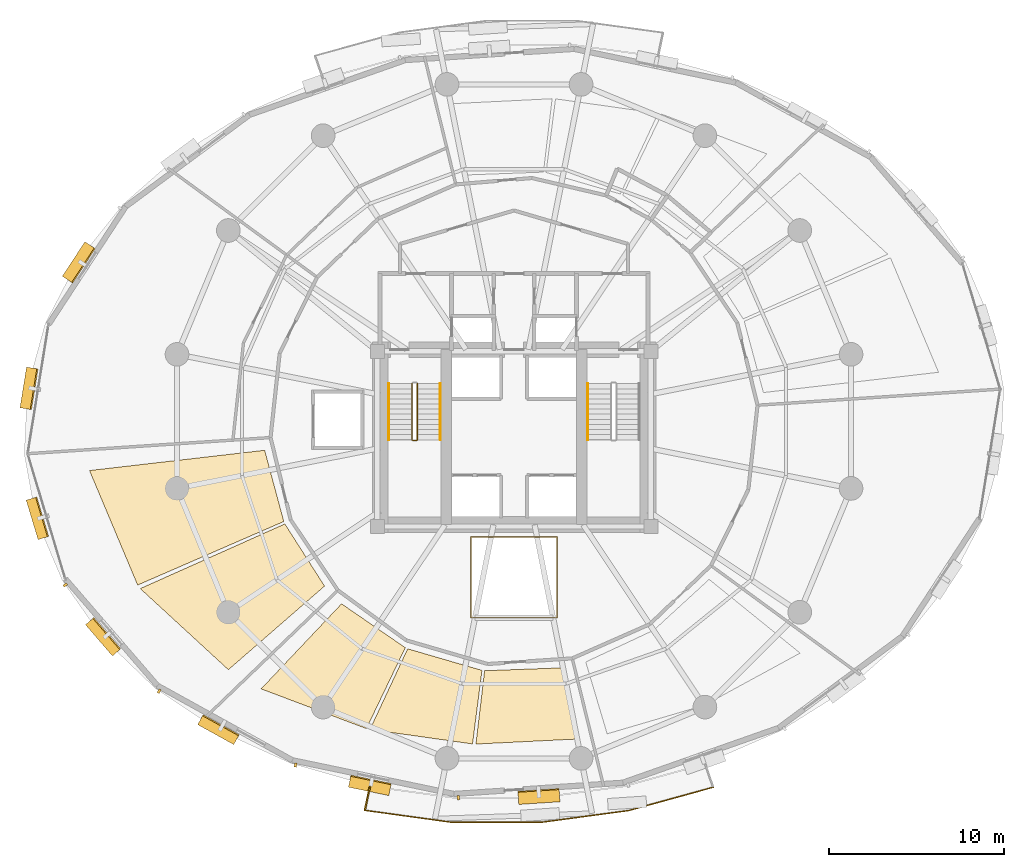
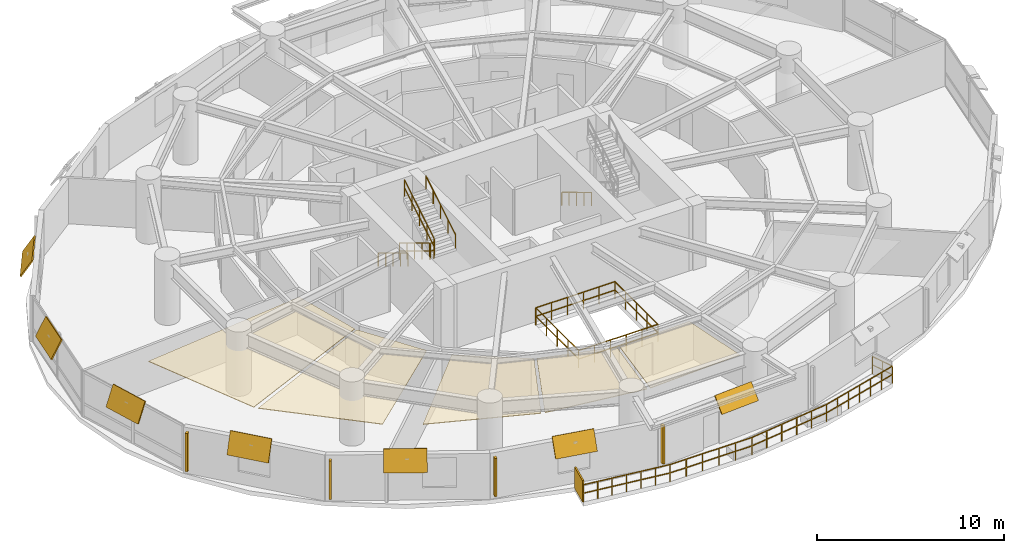
# One storey, part 14 of 16: 12 shading devices, 8 railings, 5 coverings.
"""IFC4 building model written with IfcOpenShell, lengths in metres."""

from ifc_helpers import new_model, si_unit, direction, frame, origin, origin_2d, place, context, subcontext, project, spatial, polyline, rectangle, outline, extrude, material, layer, layer_set, type_object, element, save


model = new_model("IFC4")

# Units and contexts
model_context = context("Model", 3, precision=1e-05, world=origin(), true_north=direction((0.0, 1.0)))
body_context = subcontext(model_context, "Body", "Model", "MODEL_VIEW")
ifc_project = project(units=[si_unit("LENGTHUNIT", "METRE"), si_unit("AREAUNIT", "SQUARE_METRE"), si_unit("VOLUMEUNIT", "CUBIC_METRE"), si_unit("PLANEANGLEUNIT", "RADIAN"), si_unit("MASSUNIT", "GRAM", prefix="KILO"), si_unit("THERMODYNAMICTEMPERATUREUNIT", "KELVIN"), si_unit("POWERUNIT", "WATT")], contexts=[model_context])

# Site, building, storey
site_placement = place(None, origin())
site = spatial("IfcSite", under=ifc_project, at=site_placement, CompositionType="ELEMENT")
building_placement = place(site_placement, origin())
building = spatial("IfcBuilding", under=site, at=building_placement, Name="Ocrelia Relay Tower", CompositionType="ELEMENT")
storey_placement = place(building_placement, frame((0.0, 0.0, 46.800048828125)))
storey = spatial("IfcBuildingStorey", under=building, at=storey_placement, Name="L10", CompositionType="ELEMENT", Elevation=46.800048828125)

# Coverings
ifc_material_1 = material(Name="Mineral-fiber acoustic ceiling tile", Category="gypsum")
ifc_layer_1 = layer(ifc_material_1, 0.0400390625, Name="Mineral-fiber acoustic ceiling tile")
ifc_layer_set_1 = layer_set([ifc_layer_1], Name="Mineral-fiber acoustic ceiling tile")
covering_type_1 = type_object("IfcCoveringType", Name="COV-CEIL-ACOUSTIC", PredefinedType="CEILING", material=ifc_layer_set_1)
covering_1_placement = place(storey_placement, frame((0.0, 0.0, 2.919921875)))
element("IfcCovering", 1, at=covering_1_placement, inside=storey, type_object=covering_type_1, Name="L10 Routing Office D Suspended Ceiling 1", PredefinedType="CEILING", context=body_context, shape_type="SweptSolid", body=[
    extrude(outline(polyline([(19.77490234375, 24.35400390625), (9.78369140625, 23.197998046875), (12.52978515625, 16.66455078125), (20.86767578125, 20.289794921875), (19.77490234375, 24.35400390625)])), origin(), (0.0, 0.0, 1.0), 0.0400390625),
])
covering_2_placement = place(storey_placement, frame((0.0, 0.0, 2.919921875)))
element("IfcCovering", 2, at=covering_2_placement, inside=storey, type_object=covering_type_1, Name="L10 Routing Office D Suspended Ceiling 2", PredefinedType="CEILING", context=body_context, shape_type="SweptSolid", body=[
    extrude(outline(polyline([(20.92822265625, 20.152587890625), (12.678955078125, 16.462646484375), (17.705810546875, 11.835693359375), (23.192626953125, 16.605224609375), (20.92822265625, 20.152587890625)])), origin(), (0.0, 0.0, 1.0), 0.0400390625),
])
ifc_material_2 = material(Name="Cleanroom metal-pan acoustic ceiling", Category="aluminium")
ifc_layer_2 = layer(ifc_material_2, 0.0400390625, Name="Cleanroom metal-pan acoustic ceiling")
ifc_layer_set_2 = layer_set([ifc_layer_2], Name="Cleanroom metal-pan acoustic ceiling")
covering_type_2 = type_object("IfcCoveringType", Name="COV-CEIL-CLEAN", PredefinedType="CEILING", material=ifc_layer_set_2)
covering_3_placement = place(storey_placement, frame((0.0, 0.0, 2.919921875)))
element("IfcCovering", 3, at=covering_3_placement, inside=storey, type_object=covering_type_2, Name="L10 Colocation Data Hall A Suspended Ceiling 1", PredefinedType="CEILING", context=body_context, shape_type="SweptSolid", body=[
    extrude(outline(polyline([(24.160888671875, 15.595458984375), (19.572021484375, 10.74267578125), (25.57861328125, 8.475830078125), (27.797607421875, 13.093017578125), (24.160888671875, 15.595458984375)])), origin(), (0.0, 0.0, 1.0), 0.0400390625),
])
covering_4_placement = place(storey_placement, frame((0.0, 0.0, 2.919921875)))
element("IfcCovering", 4, at=covering_4_placement, inside=storey, type_object=covering_type_2, Name="L10 Colocation Data Hall A Suspended Ceiling 2", PredefinedType="CEILING", context=body_context, shape_type="SweptSolid", body=[
    extrude(outline(polyline([(27.93310546875, 13.02880859375), (25.7802734375, 8.42626953125), (31.63232421875, 7.60205078125), (32.172119140625, 11.797119140625), (27.93310546875, 13.02880859375)])), origin(), (0.0, 0.0, 1.0), 0.0400390625),
])
covering_5_placement = place(storey_placement, frame((0.0, 0.0, 2.919921875)))
element("IfcCovering", 5, at=covering_5_placement, inside=storey, type_object=covering_type_2, Name="L10 Colocation Data Hall A Suspended Ceiling 3", PredefinedType="CEILING", context=body_context, shape_type="SweptSolid", body=[
    extrude(outline(polyline([(32.321044921875, 11.77880859375), (31.826904296875, 7.59375), (37.522705078125, 7.876708984375), (36.732421875, 11.943115234375), (32.321044921875, 11.77880859375)])), origin(), (0.0, 0.0, 1.0), 0.0400390625),
])

# Railings
ifc_material_3 = material(Name="Steel S355 balustrade", Category="steel")
railing_type_1 = type_object("IfcRailingType", Name="RL-EXT-GUARD-1150", PredefinedType="GUARDRAIL", material=ifc_material_3)
railing_1_placement = place(storey_placement, frame((44.904541015625, 6.447265625, 0.0)))
element("IfcRailing", 6, at=railing_1_placement, inside=storey, type_object=railing_type_1, Name="L10 Loggia Balcony Guard Rail B2", PredefinedType="GUARDRAIL", context=body_context, shape_type="SweptSolid", body=[
    extrude(rectangle(XDim=0.048095703125, YDim=0.048095703125, at=origin_2d()), frame((0.0, 0.0, 1.1259765625), z_axis=(0.33326000737, -0.942834963017, 0.0), x_axis=(0.942834963017, 0.33326000737, 0.0)), (0.0, 0.0, 1.0), 1.393310546875),
    extrude(rectangle(XDim=0.048095703125, YDim=0.048095703125, at=origin_2d()), frame((0.0, 0.0, 0.574951171875), z_axis=(0.33326000737, -0.942834963017, 0.0), x_axis=(0.942834963017, 0.33326000737, 0.0)), (0.0, 0.0, 1.0), 1.393310546875),
    extrude(rectangle(XDim=0.048095703125, YDim=0.048095703125, at=origin_2d()), frame((0.46435546875, -1.313720703125, 1.1259765625), z_axis=(-0.963981417475, -0.265969597441, 0.0), x_axis=(0.265969597441, -0.963981417475, 0.0)), (0.0, 0.0, 1.0), 2.505126953125),
    extrude(rectangle(XDim=0.048095703125, YDim=0.048095703125, at=origin_2d()), frame((0.46435546875, -1.313720703125, 0.574951171875), z_axis=(-0.963981417475, -0.265969597441, 0.0), x_axis=(0.265969597441, -0.963981417475, 0.0)), (0.0, 0.0, 1.0), 2.505126953125),
    extrude(rectangle(XDim=0.048095703125, YDim=0.048095703125, at=origin_2d()), frame((-1.950439453125, -1.97998046875, 1.1259765625), z_axis=(-0.963956426006, -0.266060160044, 0.0), x_axis=(0.266060160044, -0.963956426006, 0.0)), (0.0, 0.0, 1.0), 2.505126953125),
    extrude(rectangle(XDim=0.048095703125, YDim=0.048095703125, at=origin_2d()), frame((-1.950439453125, -1.97998046875, 0.574951171875), z_axis=(-0.963956426006, -0.266060160044, 0.0), x_axis=(0.266060160044, -0.963956426006, 0.0)), (0.0, 0.0, 1.0), 2.505126953125),
    extrude(rectangle(XDim=0.048095703125, YDim=0.048095703125, at=origin_2d()), frame((-4.365234375, -2.646484375, 1.1259765625), z_axis=(-0.991117684156, -0.132987729335, 0.0), x_axis=(0.132987729335, -0.991117684156, 0.0)), (0.0, 0.0, 1.0), 5.06494140625),
    extrude(rectangle(XDim=0.048095703125, YDim=0.048095703125, at=origin_2d()), frame((-4.365234375, -2.646484375, 0.574951171875), z_axis=(-0.991117684156, -0.132987729335, 0.0), x_axis=(0.132987729335, -0.991117684156, 0.0)), (0.0, 0.0, 1.0), 5.06494140625),
    extrude(rectangle(XDim=0.048095703125, YDim=0.048095703125, at=origin_2d()), frame((-9.38525390625, -3.320068359375, 1.1259765625), z_axis=(-0.999999702629, 0.000771195606, 0.0), x_axis=(-0.000771195606, -0.999999702629, 0.0)), (0.0, 0.0, 1.0), 5.065185546875),
    extrude(rectangle(XDim=0.048095703125, YDim=0.048095703125, at=origin_2d()), frame((-9.38525390625, -3.320068359375, 0.574951171875), z_axis=(-0.999999702629, 0.000771195606, 0.0), x_axis=(-0.000771195606, -0.999999702629, 0.0)), (0.0, 0.0, 1.0), 5.065185546875),
    extrude(rectangle(XDim=0.048095703125, YDim=0.048095703125, at=origin_2d()), frame((-14.450439453125, -3.316162109375, 1.1259765625), z_axis=(-0.990687879791, 0.136152579249, 0.0), x_axis=(-0.136152579249, -0.990687879791, 0.0)), (0.0, 0.0, 1.0), 2.505126953125),
    extrude(rectangle(XDim=0.048095703125, YDim=0.048095703125, at=origin_2d()), frame((-14.450439453125, -3.316162109375, 0.574951171875), z_axis=(-0.990687879791, 0.136152579249, 0.0), x_axis=(-0.136152579249, -0.990687879791, 0.0)), (0.0, 0.0, 1.0), 2.505126953125),
    extrude(rectangle(XDim=0.048095703125, YDim=0.048095703125, at=origin_2d()), frame((-16.93212890625, -2.97509765625, 1.1259765625), z_axis=(-0.990687879791, 0.136152579249, 0.0), x_axis=(-0.136152579249, -0.990687879791, 0.0)), (0.0, 0.0, 1.0), 2.505126953125),
    extrude(rectangle(XDim=0.048095703125, YDim=0.048095703125, at=origin_2d()), frame((-16.93212890625, -2.97509765625, 0.574951171875), z_axis=(-0.990687879791, 0.136152579249, 0.0), x_axis=(-0.136152579249, -0.990687879791, 0.0)), (0.0, 0.0, 1.0), 2.505126953125),
    extrude(rectangle(XDim=0.048095703125, YDim=0.048095703125, at=origin_2d()), frame((-19.413818359375, -2.634033203125, 1.1259765625), z_axis=(0.205507166394, 0.978655610805, 0.0), x_axis=(-0.978655610805, 0.205507166394, 0.0)), (0.0, 0.0, 1.0), 1.3935546875),
    extrude(rectangle(XDim=0.048095703125, YDim=0.048095703125, at=origin_2d()), frame((-19.413818359375, -2.634033203125, 0.574951171875), z_axis=(0.205507166394, 0.978655610805, 0.0), x_axis=(-0.978655610805, 0.205507166394, 0.0)), (0.0, 0.0, 1.0), 1.3935546875),
    extrude(rectangle(XDim=0.0419921875, YDim=0.0419921875, at=origin_2d()), origin(), (0.0, 0.0, 1.0), 1.101806640625),
    extrude(rectangle(XDim=0.0419921875, YDim=0.0419921875, at=origin_2d()), frame((0.232177734375, -0.65673828125, 0.0)), (0.0, 0.0, 1.0), 1.101806640625),
    extrude(rectangle(XDim=0.0419921875, YDim=0.0419921875, at=origin_2d()), frame((0.46435546875, -1.313720703125, 0.0)), (0.0, 0.0, 1.0), 1.101806640625),
    extrude(rectangle(XDim=0.0419921875, YDim=0.0419921875, at=origin_2d()), frame((-0.340576171875, -1.535888671875, 0.0)), (0.0, 0.0, 1.0), 1.101806640625),
    extrude(rectangle(XDim=0.0419921875, YDim=0.0419921875, at=origin_2d()), frame((-1.1455078125, -1.7578125, 0.0)), (0.0, 0.0, 1.0), 1.101806640625),
    extrude(rectangle(XDim=0.0419921875, YDim=0.0419921875, at=origin_2d()), frame((-1.950439453125, -1.97998046875, 0.0)), (0.0, 0.0, 1.0), 1.101806640625),
    extrude(rectangle(XDim=0.0419921875, YDim=0.0419921875, at=origin_2d()), frame((-2.75537109375, -2.2021484375, 0.0)), (0.0, 0.0, 1.0), 1.101806640625),
    extrude(rectangle(XDim=0.0419921875, YDim=0.0419921875, at=origin_2d()), frame((-3.560302734375, -2.42431640625, 0.0)), (0.0, 0.0, 1.0), 1.101806640625),
    extrude(rectangle(XDim=0.0419921875, YDim=0.0419921875, at=origin_2d()), frame((-4.365234375, -2.646484375, 0.0)), (0.0, 0.0, 1.0), 1.101806640625),
    extrude(rectangle(XDim=0.0419921875, YDim=0.0419921875, at=origin_2d()), frame((-5.369140625, -2.78125, 0.0)), (0.0, 0.0, 1.0), 1.101806640625),
    extrude(rectangle(XDim=0.0419921875, YDim=0.0419921875, at=origin_2d()), frame((-6.373291015625, -2.916015625, 0.0)), (0.0, 0.0, 1.0), 1.101806640625),
    extrude(rectangle(XDim=0.0419921875, YDim=0.0419921875, at=origin_2d()), frame((-7.377197265625, -3.050537109375, 0.0)), (0.0, 0.0, 1.0), 1.101806640625),
    extrude(rectangle(XDim=0.0419921875, YDim=0.0419921875, at=origin_2d()), frame((-8.38134765625, -3.185302734375, 0.0)), (0.0, 0.0, 1.0), 1.101806640625),
    extrude(rectangle(XDim=0.0419921875, YDim=0.0419921875, at=origin_2d()), frame((-9.38525390625, -3.320068359375, 0.0)), (0.0, 0.0, 1.0), 1.101806640625),
    extrude(rectangle(XDim=0.0419921875, YDim=0.0419921875, at=origin_2d()), frame((-10.398193359375, -3.3193359375, 0.0)), (0.0, 0.0, 1.0), 1.101806640625),
    extrude(rectangle(XDim=0.0419921875, YDim=0.0419921875, at=origin_2d()), frame((-11.411376953125, -3.318603515625, 0.0)), (0.0, 0.0, 1.0), 1.101806640625),
    extrude(rectangle(XDim=0.0419921875, YDim=0.0419921875, at=origin_2d()), frame((-12.42431640625, -3.317626953125, 0.0)), (0.0, 0.0, 1.0), 1.101806640625),
    extrude(rectangle(XDim=0.0419921875, YDim=0.0419921875, at=origin_2d()), frame((-13.4375, -3.31689453125, 0.0)), (0.0, 0.0, 1.0), 1.101806640625),
    extrude(rectangle(XDim=0.0419921875, YDim=0.0419921875, at=origin_2d()), frame((-14.450439453125, -3.316162109375, 0.0)), (0.0, 0.0, 1.0), 1.101806640625),
    extrude(rectangle(XDim=0.0419921875, YDim=0.0419921875, at=origin_2d()), frame((-15.277587890625, -3.202392578125, 0.0)), (0.0, 0.0, 1.0), 1.101806640625),
    extrude(rectangle(XDim=0.0419921875, YDim=0.0419921875, at=origin_2d()), frame((-16.10498046875, -3.0888671875, 0.0)), (0.0, 0.0, 1.0), 1.101806640625),
    extrude(rectangle(XDim=0.0419921875, YDim=0.0419921875, at=origin_2d()), frame((-16.93212890625, -2.97509765625, 0.0)), (0.0, 0.0, 1.0), 1.101806640625),
    extrude(rectangle(XDim=0.0419921875, YDim=0.0419921875, at=origin_2d()), frame((-17.75927734375, -2.861328125, 0.0)), (0.0, 0.0, 1.0), 1.101806640625),
    extrude(rectangle(XDim=0.0419921875, YDim=0.0419921875, at=origin_2d()), frame((-18.586669921875, -2.747802734375, 0.0)), (0.0, 0.0, 1.0), 1.101806640625),
    extrude(rectangle(XDim=0.0419921875, YDim=0.0419921875, at=origin_2d()), frame((-19.413818359375, -2.634033203125, 0.0)), (0.0, 0.0, 1.0), 1.101806640625),
    extrude(rectangle(XDim=0.0419921875, YDim=0.0419921875, at=origin_2d()), frame((-19.2705078125, -1.9521484375, 0.0)), (0.0, 0.0, 1.0), 1.101806640625),
    extrude(rectangle(XDim=0.0419921875, YDim=0.0419921875, at=origin_2d()), frame((-19.12744140625, -1.270263671875, 0.0)), (0.0, 0.0, 1.0), 1.101806640625),
])
ifc_material_4 = material(Name="Steel S355 atrium balustrade", Category="steel")
railing_type_2 = type_object("IfcRailingType", Name="RL-INT-GUARD-115", PredefinedType="GUARDRAIL", material=ifc_material_4)
railing_2_placement = place(storey_placement, frame((31.550048828125, 14.800048828125, 0.0)))
element("IfcRailing", 7, at=railing_2_placement, inside=storey, type_object=railing_type_2, Name="L10 Multi-Zone Interior Atrium Guard", PredefinedType="GUARDRAIL", context=body_context, shape_type="SweptSolid", body=[
    extrude(rectangle(XDim=0.048095703125, YDim=0.048095703125, at=origin_2d()), frame((0.0, 0.0, 1.1259765625), z_axis=(1.0, 0.0, 0.0), x_axis=(0.0, 1.0, 0.0)), (0.0, 0.0, 1.0), 4.89990234375),
    extrude(rectangle(XDim=0.048095703125, YDim=0.048095703125, at=origin_2d()), frame((0.0, 0.0, 0.574951171875), z_axis=(1.0, 0.0, 0.0), x_axis=(0.0, 1.0, 0.0)), (0.0, 0.0, 1.0), 4.89990234375),
    extrude(rectangle(XDim=0.048095703125, YDim=0.048095703125, at=origin_2d()), frame((4.89990234375, 0.0, 1.1259765625), z_axis=(0.0, 1.0, 0.0), x_axis=(-1.0, 0.0, 0.0)), (0.0, 0.0, 1.0), 4.599853515625),
    extrude(rectangle(XDim=0.048095703125, YDim=0.048095703125, at=origin_2d()), frame((4.89990234375, 0.0, 0.574951171875), z_axis=(0.0, 1.0, 0.0), x_axis=(-1.0, 0.0, 0.0)), (0.0, 0.0, 1.0), 4.599853515625),
    extrude(rectangle(XDim=0.048095703125, YDim=0.048095703125, at=origin_2d()), frame((4.89990234375, 4.599853515625, 1.1259765625), z_axis=(-1.0, 0.0, 0.0), x_axis=(0.0, -1.0, 0.0)), (0.0, 0.0, 1.0), 4.89990234375),
    extrude(rectangle(XDim=0.048095703125, YDim=0.048095703125, at=origin_2d()), frame((4.89990234375, 4.599853515625, 0.574951171875), z_axis=(-1.0, 0.0, 0.0), x_axis=(0.0, -1.0, 0.0)), (0.0, 0.0, 1.0), 4.89990234375),
    extrude(rectangle(XDim=0.048095703125, YDim=0.048095703125, at=origin_2d()), frame((0.0, 4.599853515625, 1.1259765625), z_axis=(0.0, -1.0, 0.0), x_axis=(1.0, 0.0, 0.0)), (0.0, 0.0, 1.0), 4.599853515625),
    extrude(rectangle(XDim=0.048095703125, YDim=0.048095703125, at=origin_2d()), frame((0.0, 4.599853515625, 0.574951171875), z_axis=(0.0, -1.0, 0.0), x_axis=(1.0, 0.0, 0.0)), (0.0, 0.0, 1.0), 4.599853515625),
    extrude(rectangle(XDim=0.0419921875, YDim=0.0419921875, at=origin_2d()), origin(), (0.0, 0.0, 1.0), 1.101806640625),
    extrude(rectangle(XDim=0.0419921875, YDim=0.0419921875, at=origin_2d()), frame((0.97998046875, 0.0, 0.0)), (0.0, 0.0, 1.0), 1.101806640625),
    extrude(rectangle(XDim=0.0419921875, YDim=0.0419921875, at=origin_2d()), frame((1.9599609375, 0.0, 0.0)), (0.0, 0.0, 1.0), 1.101806640625),
    extrude(rectangle(XDim=0.0419921875, YDim=0.0419921875, at=origin_2d()), frame((2.93994140625, 0.0, 0.0)), (0.0, 0.0, 1.0), 1.101806640625),
    extrude(rectangle(XDim=0.0419921875, YDim=0.0419921875, at=origin_2d()), frame((3.919921875, 0.0, 0.0)), (0.0, 0.0, 1.0), 1.101806640625),
    extrude(rectangle(XDim=0.0419921875, YDim=0.0419921875, at=origin_2d()), frame((4.89990234375, 0.0, 0.0)), (0.0, 0.0, 1.0), 1.101806640625),
    extrude(rectangle(XDim=0.0419921875, YDim=0.0419921875, at=origin_2d()), frame((4.89990234375, 1.14990234375, 0.0)), (0.0, 0.0, 1.0), 1.101806640625),
    extrude(rectangle(XDim=0.0419921875, YDim=0.0419921875, at=origin_2d()), frame((4.89990234375, 2.2998046875, 0.0)), (0.0, 0.0, 1.0), 1.101806640625),
    extrude(rectangle(XDim=0.0419921875, YDim=0.0419921875, at=origin_2d()), frame((4.89990234375, 3.449951171875, 0.0)), (0.0, 0.0, 1.0), 1.101806640625),
    extrude(rectangle(XDim=0.0419921875, YDim=0.0419921875, at=origin_2d()), frame((4.89990234375, 4.599853515625, 0.0)), (0.0, 0.0, 1.0), 1.101806640625),
    extrude(rectangle(XDim=0.0419921875, YDim=0.0419921875, at=origin_2d()), frame((3.919921875, 4.599853515625, 0.0)), (0.0, 0.0, 1.0), 1.101806640625),
    extrude(rectangle(XDim=0.0419921875, YDim=0.0419921875, at=origin_2d()), frame((2.93994140625, 4.599853515625, 0.0)), (0.0, 0.0, 1.0), 1.101806640625),
    extrude(rectangle(XDim=0.0419921875, YDim=0.0419921875, at=origin_2d()), frame((1.9599609375, 4.599853515625, 0.0)), (0.0, 0.0, 1.0), 1.101806640625),
    extrude(rectangle(XDim=0.0419921875, YDim=0.0419921875, at=origin_2d()), frame((0.97998046875, 4.599853515625, 0.0)), (0.0, 0.0, 1.0), 1.101806640625),
    extrude(rectangle(XDim=0.0419921875, YDim=0.0419921875, at=origin_2d()), frame((0.0, 4.599853515625, 0.0)), (0.0, 0.0, 1.0), 1.101806640625),
    extrude(rectangle(XDim=0.0419921875, YDim=0.0419921875, at=origin_2d()), frame((0.0, 3.449951171875, 0.0)), (0.0, 0.0, 1.0), 1.101806640625),
    extrude(rectangle(XDim=0.0419921875, YDim=0.0419921875, at=origin_2d()), frame((0.0, 2.2998046875, 0.0)), (0.0, 0.0, 1.0), 1.101806640625),
    extrude(rectangle(XDim=0.0419921875, YDim=0.0419921875, at=origin_2d()), frame((0.0, 1.14990234375, 0.0)), (0.0, 0.0, 1.0), 1.101806640625),
])
railing_type_3 = type_object("IfcRailingType", Name="RL-STAIR-GUARD", PredefinedType="GUARDRAIL", material=ifc_material_3)
railing_3_placement = place(storey_placement, frame((28.179931640625, 28.14990234375, 0.175048828125)))
element("IfcRailing", 8, at=railing_3_placement, inside=storey, type_object=railing_type_3, Name="L10 ST1 stair guard 1", PredefinedType="GUARDRAIL", context=body_context, shape_type="SweptSolid", body=[
    extrude(rectangle(XDim=0.048095703125, YDim=0.048095703125, at=origin_2d()), frame((0.0, 0.0, 1.076171875), z_axis=(0.0, -0.856206652436, 0.516633495163), x_axis=(1.0, 0.0, 0.0)), (0.0, 0.0, 1.0), 3.7255859375),
    extrude(rectangle(XDim=0.048095703125, YDim=0.048095703125, at=origin_2d()), frame((0.0, 0.0, 0.550048828125), z_axis=(0.0, -0.856206652436, 0.516633495163), x_axis=(1.0, 0.0, 0.0)), (0.0, 0.0, 1.0), 3.7255859375),
    extrude(rectangle(XDim=0.0419921875, YDim=0.0419921875, at=origin_2d()), origin(), (0.0, 0.0, 1.0), 1.052001953125),
    extrude(rectangle(XDim=0.0419921875, YDim=0.0419921875, at=origin_2d()), frame((0.0, -0.79736328125, 0.481201171875)), (0.0, 0.0, 1.0), 1.052001953125),
    extrude(rectangle(XDim=0.0419921875, YDim=0.0419921875, at=origin_2d()), frame((0.0, -1.594970703125, 0.96240234375)), (0.0, 0.0, 1.0), 1.052001953125),
    extrude(rectangle(XDim=0.0419921875, YDim=0.0419921875, at=origin_2d()), frame((0.0, -2.392578125, 1.443603515625)), (0.0, 0.0, 1.0), 1.052001953125),
    extrude(rectangle(XDim=0.0419921875, YDim=0.0419921875, at=origin_2d()), frame((0.0, -3.18994140625, 1.9248046875)), (0.0, 0.0, 1.0), 1.052001953125),
])
railing_4_placement = place(storey_placement, frame((28.22998046875, 24.909912109375, 2.099853515625)))
element("IfcRailing", 9, at=railing_4_placement, inside=storey, type_object=railing_type_3, Name="L10 ST1 stair guard 2", PredefinedType="GUARDRAIL", context=body_context, shape_type="SweptSolid", body=[
    extrude(rectangle(XDim=0.048095703125, YDim=0.048095703125, at=origin_2d()), frame((0.0, 0.0, 1.076171875), z_axis=(1.0, 0.0, 0.0), x_axis=(0.0, 1.0, 0.0)), (0.0, 0.0, 1.0), 0.199951171875),
    extrude(rectangle(XDim=0.048095703125, YDim=0.048095703125, at=origin_2d()), frame((0.0, 0.0, 0.550048828125), z_axis=(1.0, 0.0, 0.0), x_axis=(0.0, 1.0, 0.0)), (0.0, 0.0, 1.0), 0.199951171875),
    extrude(rectangle(XDim=0.0419921875, YDim=0.0419921875, at=origin_2d()), origin(), (0.0, 0.0, 1.0), 1.052001953125),
    extrude(rectangle(XDim=0.0419921875, YDim=0.0419921875, at=origin_2d()), frame((0.199951171875, 0.0, 0.0)), (0.0, 0.0, 1.0), 1.052001953125),
])
railing_5_placement = place(storey_placement, frame((28.47998046875, 24.9599609375, 2.27490234375)))
element("IfcRailing", 10, at=railing_5_placement, inside=storey, type_object=railing_type_3, Name="L10 ST1 stair guard 3", PredefinedType="GUARDRAIL", context=body_context, shape_type="SweptSolid", body=[
    extrude(rectangle(XDim=0.048095703125, YDim=0.048095703125, at=origin_2d()), frame((0.0, 0.0, 1.076171875), z_axis=(0.0, 0.856177665481, 0.516681531633), x_axis=(-1.0, 0.0, 0.0)), (0.0, 0.0, 1.0), 3.725830078125),
    extrude(rectangle(XDim=0.048095703125, YDim=0.048095703125, at=origin_2d()), frame((0.0, 0.0, 0.550048828125), z_axis=(0.0, 0.856177665481, 0.516681531633), x_axis=(-1.0, 0.0, 0.0)), (0.0, 0.0, 1.0), 3.725830078125),
    extrude(rectangle(XDim=0.0419921875, YDim=0.0419921875, at=origin_2d()), origin(), (0.0, 0.0, 1.0), 1.052001953125),
    extrude(rectangle(XDim=0.0419921875, YDim=0.0419921875, at=origin_2d()), frame((0.0, 0.79736328125, 0.481201171875)), (0.0, 0.0, 1.0), 1.052001953125),
    extrude(rectangle(XDim=0.0419921875, YDim=0.0419921875, at=origin_2d()), frame((0.0, 1.594970703125, 0.96240234375)), (0.0, 0.0, 1.0), 1.052001953125),
    extrude(rectangle(XDim=0.0419921875, YDim=0.0419921875, at=origin_2d()), frame((0.0, 2.392578125, 1.44384765625)), (0.0, 0.0, 1.0), 1.052001953125),
    extrude(rectangle(XDim=0.0419921875, YDim=0.0419921875, at=origin_2d()), frame((0.0, 3.18994140625, 1.925048828125)), (0.0, 0.0, 1.0), 1.052001953125),
])
ifc_material_5 = material(Name="Steel S355 tubular handrail", Category="steel")
railing_type_4 = type_object("IfcRailingType", Name="RL-STAIR-HAND", PredefinedType="HANDRAIL", material=ifc_material_5)
railing_6_placement = place(storey_placement, frame((26.860107421875, 28.14990234375, 0.175048828125)))
element("IfcRailing", 11, at=railing_6_placement, inside=storey, type_object=railing_type_4, Name="L10 ST1 stair handrail 1", PredefinedType="HANDRAIL", context=body_context, shape_type="SweptSolid", body=[
    extrude(rectangle(XDim=0.048095703125, YDim=0.048095703125, at=origin_2d()), frame((0.0, 0.0, 0.8759765625), z_axis=(0.0, -0.856206652436, 0.516633495163), x_axis=(1.0, 0.0, 0.0)), (0.0, 0.0, 1.0), 3.7255859375),
    extrude(rectangle(XDim=0.0419921875, YDim=0.0419921875, at=origin_2d()), origin(), (0.0, 0.0, 1.0), 0.851806640625),
    extrude(rectangle(XDim=0.0419921875, YDim=0.0419921875, at=origin_2d()), frame((0.0, -0.79736328125, 0.481201171875)), (0.0, 0.0, 1.0), 0.851806640625),
    extrude(rectangle(XDim=0.0419921875, YDim=0.0419921875, at=origin_2d()), frame((0.0, -1.594970703125, 0.96240234375)), (0.0, 0.0, 1.0), 0.851806640625),
    extrude(rectangle(XDim=0.0419921875, YDim=0.0419921875, at=origin_2d()), frame((0.0, -2.392578125, 1.443603515625)), (0.0, 0.0, 1.0), 0.851806640625),
    extrude(rectangle(XDim=0.0419921875, YDim=0.0419921875, at=origin_2d()), frame((0.0, -3.18994140625, 1.9248046875)), (0.0, 0.0, 1.0), 0.851806640625),
])
railing_7_placement = place(storey_placement, frame((29.800048828125, 24.9599609375, 2.27490234375)))
element("IfcRailing", 12, at=railing_7_placement, inside=storey, type_object=railing_type_4, Name="L10 ST1 stair handrail 2", PredefinedType="HANDRAIL", context=body_context, shape_type="SweptSolid", body=[
    extrude(rectangle(XDim=0.048095703125, YDim=0.048095703125, at=origin_2d()), frame((0.0, 0.0, 0.8759765625), z_axis=(0.0, 0.856177665481, 0.516681531633), x_axis=(-1.0, 0.0, 0.0)), (0.0, 0.0, 1.0), 3.725830078125),
    extrude(rectangle(XDim=0.0419921875, YDim=0.0419921875, at=origin_2d()), origin(), (0.0, 0.0, 1.0), 0.851806640625),
    extrude(rectangle(XDim=0.0419921875, YDim=0.0419921875, at=origin_2d()), frame((0.0, 0.79736328125, 0.481201171875)), (0.0, 0.0, 1.0), 0.851806640625),
    extrude(rectangle(XDim=0.0419921875, YDim=0.0419921875, at=origin_2d()), frame((0.0, 1.594970703125, 0.96240234375)), (0.0, 0.0, 1.0), 0.851806640625),
    extrude(rectangle(XDim=0.0419921875, YDim=0.0419921875, at=origin_2d()), frame((0.0, 2.392578125, 1.44384765625)), (0.0, 0.0, 1.0), 0.851806640625),
    extrude(rectangle(XDim=0.0419921875, YDim=0.0419921875, at=origin_2d()), frame((0.0, 3.18994140625, 1.925048828125)), (0.0, 0.0, 1.0), 0.851806640625),
])
railing_8_placement = place(storey_placement, frame((38.2099609375, 28.14990234375, 0.175048828125)))
element("IfcRailing", 13, at=railing_8_placement, inside=storey, type_object=railing_type_4, Name="L10 ST2 stair handrail 1", PredefinedType="HANDRAIL", context=body_context, shape_type="SweptSolid", body=[
    extrude(rectangle(XDim=0.048095703125, YDim=0.048095703125, at=origin_2d()), frame((0.0, 0.0, 0.8759765625), z_axis=(0.0, -0.856206652436, 0.516633495163), x_axis=(1.0, 0.0, 0.0)), (0.0, 0.0, 1.0), 3.7255859375),
    extrude(rectangle(XDim=0.0419921875, YDim=0.0419921875, at=origin_2d()), origin(), (0.0, 0.0, 1.0), 0.851806640625),
    extrude(rectangle(XDim=0.0419921875, YDim=0.0419921875, at=origin_2d()), frame((0.0, -0.79736328125, 0.481201171875)), (0.0, 0.0, 1.0), 0.851806640625),
    extrude(rectangle(XDim=0.0419921875, YDim=0.0419921875, at=origin_2d()), frame((0.0, -1.594970703125, 0.96240234375)), (0.0, 0.0, 1.0), 0.851806640625),
    extrude(rectangle(XDim=0.0419921875, YDim=0.0419921875, at=origin_2d()), frame((0.0, -2.392578125, 1.443603515625)), (0.0, 0.0, 1.0), 0.851806640625),
    extrude(rectangle(XDim=0.0419921875, YDim=0.0419921875, at=origin_2d()), frame((0.0, -3.18994140625, 1.9248046875)), (0.0, 0.0, 1.0), 0.851806640625),
])

# Shading devices
ifc_material_6 = material(Name="Perforated oxide terracotta solar screen", Category="masonry")
ifc_layer_3 = layer(ifc_material_6, 0.090087890625, Name="Perforated oxide terracotta solar screen")
ifc_layer_set_3 = layer_set([ifc_layer_3], Name="Perforated oxide terracotta solar screen")
shading_device_type_1 = type_object("IfcShadingDeviceType", Name="SH-BALC-SCREEN", PredefinedType="USERDEFINED", material=ifc_layer_set_3)
shading_device_1_placement = place(storey_placement, frame((25.634033203125, 4.4951171875, 0.0), z_axis=(0.0, 0.0, 1.0), x_axis=(-0.205533042899, -0.97865017666, 0.0)))
element("IfcShadingDevice", 14, at=shading_device_1_placement, inside=storey, type_object=shading_device_type_1, Name="L10 Balcony Perforated Terracotta Screen B2-1", ObjectType="SCREEN", PredefinedType="USERDEFINED", context=body_context, shape_type="SweptSolid", body=[
    extrude(rectangle(XDim=1.340087890625, YDim=0.090087890625, at=origin_2d()), origin(), (0.0, 0.0, 1.0), 1.39990234375),
])
ifc_material_7 = material(Name="Extruded oxide terracotta vertical baguette", Category="masonry")
shading_device_type_2 = type_object("IfcShadingDeviceType", Name="SH-TERR-BAGUETTE", PredefinedType="USERDEFINED", material=ifc_material_7)
for number, where, z_axis, x_axis, name in (
    (15, (8.3994140625, 16.667724609375, 0.25), (0.0, 0.0, 1.0), (0.653415692104, -0.75699929545, 0.0), "L10 Oxide Terracotta Vertical Baguette 11"),
    (16, (13.7568359375, 10.610107421875, 0.25), (0.0, 0.0, 1.0), (0.875147378695, -0.483856451402, 0.0), "L10 Oxide Terracotta Vertical Baguette 12"),
    (17, (21.541015625, 6.398681640625, 0.25), (0.0, 0.0, 1.0), (0.978931545783, -0.20418870848, 0.0), "L10 Oxide Terracotta Vertical Baguette 13"),
    (18, (30.828125, 4.5361328125, 0.25), (0.0, 0.0, 1.0), (0.997801899814, 0.066267403205, 0.0), "L10 Oxide Terracotta Vertical Baguette 14"),
):
    element("IfcShadingDevice", number, at=place(storey_placement, frame(where, z_axis=z_axis, x_axis=x_axis)), inside=storey, type_object=shading_device_type_2, Name=name, ObjectType="BAGUETTE", PredefinedType="USERDEFINED", context=body_context, shape_type="SweptSolid", body=[
        extrude(rectangle(XDim=0.139892578125, YDim=0.239990234375, at=origin_2d()), origin(), (0.0, 0.0, 1.0), 2.5),
    ])
ifc_material_8 = material(Name="Extruded oxide terracotta fin", Category="masonry")
ifc_layer_4 = layer(ifc_material_8, 0.080078125, Name="Extruded oxide terracotta fin")
ifc_layer_set_4 = layer_set([ifc_layer_4], Name="Extruded oxide terracotta fin")
shading_device_type_3 = type_object("IfcShadingDeviceType", Name="SH-VISOR-FIN-DEEP", PredefinedType="USERDEFINED", material=ifc_layer_set_4)
shading_device_2_placement = place(storey_placement, frame((9.201416015625, 35.04833984375, 2.819091796875), z_axis=(-0.716877526774, 0.469096491925, 0.515785898285), x_axis=(-0.547550950687, -0.836772344429, 0.0)))
element("IfcShadingDevice", 19, at=shading_device_2_placement, inside=storey, type_object=shading_device_type_3, Name="L10 Canted Terracotta Sun-Visor Fin 08", ObjectType="FIN", PredefinedType="USERDEFINED", context=body_context, shape_type="SweptSolid", body=[
    extrude(rectangle(XDim=2.35009765625, YDim=1.23291015625, at=origin_2d()), origin(), (0.0, 0.0, 1.0), 0.080078125),
])
shading_device_3_placement = place(storey_placement, frame((6.36865234375, 27.877685546875, 2.82177734375), z_axis=(-0.879720964078, 0.141862023468, 0.453834982851), x_axis=(-0.159201315878, -0.987246140039, 0.0)))
element("IfcShadingDevice", 20, at=shading_device_3_placement, inside=storey, type_object=shading_device_type_3, Name="L10 Canted Terracotta Sun-Visor Fin 09", ObjectType="FIN", PredefinedType="USERDEFINED", context=body_context, shape_type="SweptSolid", body=[
    extrude(rectangle(XDim=2.35009765625, YDim=1.300048828125, at=origin_2d()), origin(), (0.0, 0.0, 1.0), 0.080078125),
])
shading_device_4_placement = place(storey_placement, frame((6.849609375, 20.482666015625, 2.8232421875), z_axis=(-0.870193006937, -0.262070588446, 0.417232713662), x_axis=(0.288370026457, -0.957519048291, 0.0)))
element("IfcShadingDevice", 21, at=shading_device_4_placement, inside=storey, type_object=shading_device_type_3, Name="L10 Canted Terracotta Sun-Visor Fin 10", ObjectType="FIN", PredefinedType="USERDEFINED", context=body_context, shape_type="SweptSolid", body=[
    extrude(rectangle(XDim=2.35009765625, YDim=1.339111328125, at=origin_2d()), origin(), (0.0, 0.0, 1.0), 0.080078125),
])
shading_device_5_placement = place(storey_placement, frame((10.588623046875, 13.73779296875, 2.823486328125), z_axis=(-0.691391957284, -0.596785699801, 0.407214918582), x_axis=(0.653415692104, -0.75699929545, 0.0)))
element("IfcShadingDevice", 22, at=shading_device_5_placement, inside=storey, type_object=shading_device_type_3, Name="L10 Canted Terracotta Sun-Visor Fin 11", ObjectType="FIN", PredefinedType="USERDEFINED", context=body_context, shape_type="SweptSolid", body=[
    extrude(rectangle(XDim=2.35009765625, YDim=1.35009765625, at=origin_2d()), origin(), (0.0, 0.0, 1.0), 0.080078125),
])
shading_device_6_placement = place(storey_placement, frame((17.156005859375, 8.448974609375, 2.822509765625), z_axis=(-0.436284481085, -0.789104328115, 0.432400521409), x_axis=(0.875147378695, -0.483856451402, 0.0)))
element("IfcShadingDevice", 23, at=shading_device_6_placement, inside=storey, type_object=shading_device_type_3, Name="L10 Canted Terracotta Sun-Visor Fin 12", ObjectType="FIN", PredefinedType="USERDEFINED", context=body_context, shape_type="SweptSolid", body=[
    extrude(rectangle(XDim=2.35009765625, YDim=1.322998046875, at=origin_2d()), origin(), (0.0, 0.0, 1.0), 0.080078125),
])
shading_device_7_placement = place(storey_placement, frame((25.783447265625, 5.273193359375, 2.819580078125), z_axis=(-0.175826324157, -0.842955208334, 0.508440380454), x_axis=(0.978931545783, -0.20418870848, 0.0)))
element("IfcShadingDevice", 24, at=shading_device_7_placement, inside=storey, type_object=shading_device_type_3, Name="L10 Canted Terracotta Sun-Visor Fin 13", ObjectType="FIN", PredefinedType="USERDEFINED", context=body_context, shape_type="SweptSolid", body=[
    extrude(rectangle(XDim=2.35009765625, YDim=1.240966796875, at=origin_2d()), origin(), (0.0, 0.0, 1.0), 0.080078125),
])
ifc_layer_5 = layer(ifc_material_8, 0.080078125, Name="Extruded oxide terracotta fin")
ifc_layer_set_5 = layer_set([ifc_layer_5], Name="Extruded oxide terracotta fin")
shading_device_type_4 = type_object("IfcShadingDeviceType", Name="SH-VISOR-FIN-MED", PredefinedType="USERDEFINED", material=ifc_layer_set_5)
shading_device_8_placement = place(storey_placement, frame((35.419189453125, 4.635009765625, 2.814453125), z_axis=(0.051265726902, -0.771918578729, 0.633650955225), x_axis=(0.997801899814, 0.066267403205, 0.0)))
element("IfcShadingDevice", 25, at=shading_device_8_placement, inside=storey, type_object=shading_device_type_4, Name="L10 Canted Terracotta Sun-Visor Fin 14", ObjectType="FIN", PredefinedType="USERDEFINED", context=body_context, shape_type="SweptSolid", body=[
    extrude(rectangle(XDim=2.35009765625, YDim=1.094970703125, at=origin_2d()), origin(), (0.0, 0.0, 1.0), 0.080078125),
])

save(model, "model.ifc")
